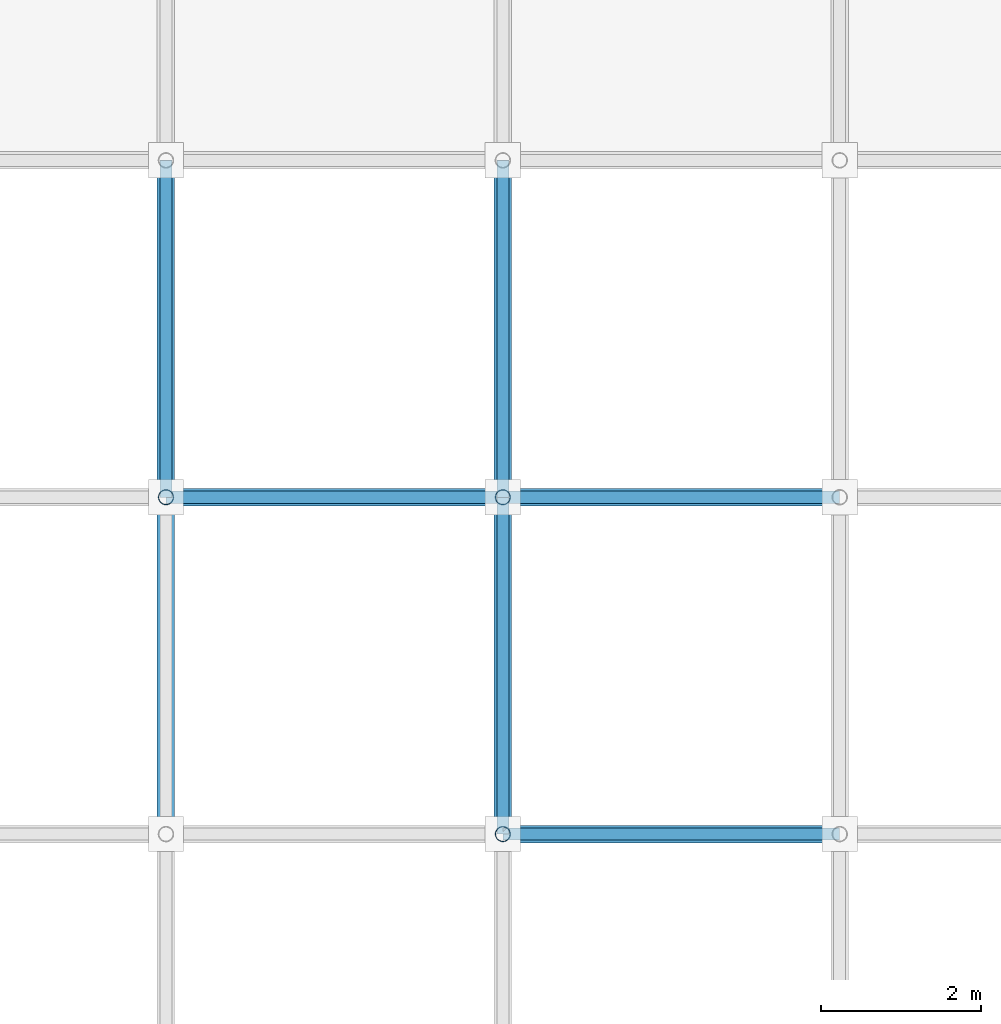
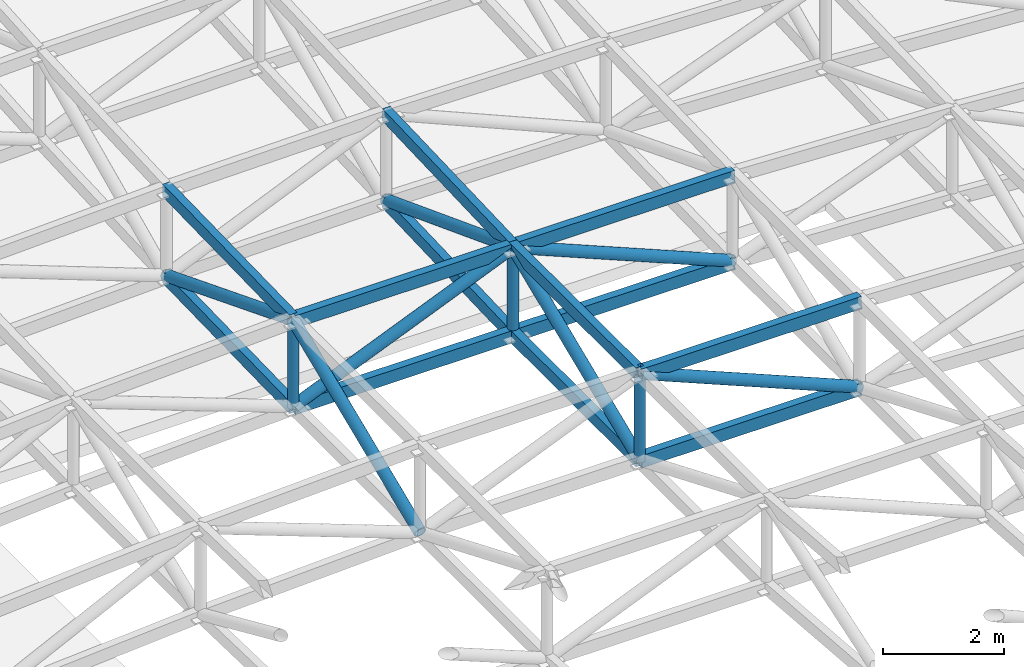
# One storey, part 20 of 132: 22 members.
"""IFC4 building model written with IfcOpenShell, lengths in metres."""

from ifc_helpers import new_model, si_unit, direction, frame, origin, origin_2d, place, context, subcontext, project, spatial, hollow_rectangle, hollow_circle, extrude, material, material_profile, profile_set, type_object, element, save


model = new_model("IFC4")

# Units and contexts
model_context = context("Model", 3, precision=1e-05, world=origin(), true_north=direction((0.0, 1.0)))
body_context = subcontext(model_context, "Body", "Model", "MODEL_VIEW")
ifc_project = project(units=[si_unit("LENGTHUNIT", "METRE"), si_unit("AREAUNIT", "SQUARE_METRE"), si_unit("VOLUMEUNIT", "CUBIC_METRE"), si_unit("PLANEANGLEUNIT", "RADIAN"), si_unit("MASSUNIT", "GRAM", prefix="KILO")], contexts=[model_context])

# Site, building, storey
site_placement = place(None, origin())
site = spatial("IfcSite", under=ifc_project, at=site_placement, CompositionType="ELEMENT")
building_placement = place(site_placement, origin())
building = spatial("IfcBuilding", under=site, at=building_placement, Name="Cumbredor Promenade Congress Hotel", CompositionType="ELEMENT")
storey_placement = place(building_placement, frame((0.0, 0.0, 7.56005859375)))
storey = spatial("IfcBuildingStorey", under=building, at=storey_placement, Name="L02", CompositionType="ELEMENT", Elevation=7.56005859375)

# Members
ifc_material = material(Name="Steel ASTM A500 Grade C", Category="steel")
ifc_material_profile_1 = material_profile(ifc_material, hollow_rectangle(XDim=0.14990234375, YDim=0.25, WallThickness=0.012451171875, at=origin_2d()), Name="HSS 250x150x12.5")
ifc_profile_set_1 = profile_set([ifc_material_profile_1], Name="Steel ASTM A500 Grade C")
member_type_1 = type_object("IfcMemberType", Name="Spa Roof Space Frame Chord", PredefinedType="CHORD", material=ifc_profile_set_1)
for number, where, z_axis, x_axis, name in (
    (1, (92.39990234375, 25.199951171875, 4.514404296875), (0.999999998311, 0.0, -5.8126017e-05), (0.0, 1.0, 0.0), "Thermal Spa and Hydrotherapy Pavilion X Top Chord 6.7"),
    (2, (92.39990234375, 25.199951171875, 2.764404296875), (0.999999998311, 0.0, -5.8126017e-05), (0.0, 1.0, 0.0), "Thermal Spa and Hydrotherapy Pavilion X Bottom Chord 6.7"),
):
    element("IfcMember", number, at=place(storey_placement, frame(where, z_axis=z_axis, x_axis=x_axis)), inside=storey, type_object=member_type_1, Name=name, PredefinedType="CHORD", context=body_context, shape_type="SweptSolid", body=[
        extrude(hollow_rectangle(XDim=0.14990234375, YDim=0.25, WallThickness=0.012451171875, at=origin_2d()), origin(), (0.0, 0.0, 1.0), 4.2001953125),
    ])
for number, where, z_axis, x_axis, name in (
    (3, (88.199951171875, 29.39990234375, 4.51416015625), (1.0, 0.0, 0.0), (0.0, 1.0, 0.0), "Thermal Spa and Hydrotherapy Pavilion X Top Chord 5.8"),
    (4, (88.199951171875, 29.39990234375, 2.76416015625), (1.0, 0.0, 0.0), (0.0, 1.0, 0.0), "Thermal Spa and Hydrotherapy Pavilion X Bottom Chord 5.8"),
):
    element("IfcMember", number, at=place(storey_placement, frame(where, z_axis=z_axis, x_axis=x_axis)), inside=storey, type_object=member_type_1, Name=name, PredefinedType="CHORD", context=body_context, shape_type="SweptSolid", body=[
        extrude(hollow_rectangle(XDim=0.14990234375, YDim=0.25, WallThickness=0.012451171875, at=origin_2d()), origin(), (0.0, 0.0, 1.0), 4.199951171875),
    ])
for number, where, z_axis, x_axis, name in (
    (5, (92.39990234375, 29.39990234375, 4.51416015625), (1.0, 0.0, 0.0), (0.0, 1.0, 0.0), "Thermal Spa and Hydrotherapy Pavilion X Top Chord 6.8"),
    (6, (92.39990234375, 29.39990234375, 2.76416015625), (1.0, 0.0, 0.0), (0.0, 1.0, 0.0), "Thermal Spa and Hydrotherapy Pavilion X Bottom Chord 6.8"),
):
    element("IfcMember", number, at=place(storey_placement, frame(where, z_axis=z_axis, x_axis=x_axis)), inside=storey, type_object=member_type_1, Name=name, PredefinedType="CHORD", context=body_context, shape_type="SweptSolid", body=[
        extrude(hollow_rectangle(XDim=0.14990234375, YDim=0.25, WallThickness=0.012451171875, at=origin_2d()), origin(), (0.0, 0.0, 1.0), 4.2001953125),
    ])
for number, where, z_axis, x_axis, name in (
    (7, (88.199951171875, 29.39990234375, 4.51416015625), (0.0, 0.999720283744, 0.023650671674), (-1.0, 0.0, 0.0), "Thermal Spa and Hydrotherapy Pavilion Y Top Chord 5.8"),
    (8, (88.199951171875, 29.39990234375, 2.76416015625), (0.0, 0.999720283744, 0.023650671674), (-1.0, 0.0, 0.0), "Thermal Spa and Hydrotherapy Pavilion Y Bottom Chord 5.8"),
):
    element("IfcMember", number, at=place(storey_placement, frame(where, z_axis=z_axis, x_axis=x_axis)), inside=storey, type_object=member_type_1, Name=name, PredefinedType="CHORD", context=body_context, shape_type="SweptSolid", body=[
        extrude(hollow_rectangle(XDim=0.14990234375, YDim=0.25, WallThickness=0.012451171875, at=origin_2d()), origin(), (0.0, 0.0, 1.0), 4.201416015625),
    ])
for number, where, z_axis, x_axis, name in (
    (9, (92.39990234375, 25.199951171875, 4.514404296875), (0.0, 0.99999999831, -5.8129396e-05), (-1.0, 0.0, 0.0), "Thermal Spa and Hydrotherapy Pavilion Y Top Chord 6.7"),
    (10, (92.39990234375, 25.199951171875, 2.764404296875), (0.0, 0.99999999831, -5.8129396e-05), (-1.0, 0.0, 0.0), "Thermal Spa and Hydrotherapy Pavilion Y Bottom Chord 6.7"),
):
    element("IfcMember", number, at=place(storey_placement, frame(where, z_axis=z_axis, x_axis=x_axis)), inside=storey, type_object=member_type_1, Name=name, PredefinedType="CHORD", context=body_context, shape_type="SweptSolid", body=[
        extrude(hollow_rectangle(XDim=0.14990234375, YDim=0.25, WallThickness=0.012451171875, at=origin_2d()), origin(), (0.0, 0.0, 1.0), 4.199951171875),
    ])
for number, where, z_axis, x_axis, name in (
    (11, (92.39990234375, 29.39990234375, 4.51416015625), (0.0, 0.999328057745, 0.036652871683), (-1.0, 0.0, 0.0), "Thermal Spa and Hydrotherapy Pavilion Y Top Chord 6.8"),
    (12, (92.39990234375, 29.39990234375, 2.76416015625), (0.0, 0.999328057745, 0.036652871683), (-1.0, 0.0, 0.0), "Thermal Spa and Hydrotherapy Pavilion Y Bottom Chord 6.8"),
):
    element("IfcMember", number, at=place(storey_placement, frame(where, z_axis=z_axis, x_axis=x_axis)), inside=storey, type_object=member_type_1, Name=name, PredefinedType="CHORD", context=body_context, shape_type="SweptSolid", body=[
        extrude(hollow_rectangle(XDim=0.14990234375, YDim=0.25, WallThickness=0.012451171875, at=origin_2d()), origin(), (0.0, 0.0, 1.0), 4.203125),
    ])
ifc_material_profile_2 = material_profile(ifc_material, hollow_circle(Radius=0.109619140625, WallThickness=0.012451171875, at=origin_2d()), Name="CHS 219.1x12.5")
ifc_profile_set_2 = profile_set([ifc_material_profile_2], Name="Steel ASTM A500 Grade C")
member_type_2 = type_object("IfcMemberType", Name="Space Frame Web Diagonal D1", PredefinedType="BRACE", material=ifc_profile_set_2)
member_1_placement = place(storey_placement, frame((92.39990234375, 25.199951171875, 4.514404296875), z_axis=(0.923064223391, 0.0, -0.384645862444), x_axis=(0.0, 1.0, 0.0)))
element("IfcMember", 13, at=member_1_placement, inside=storey, type_object=member_type_2, Name="Thermal Spa and Hydrotherapy Pavilion X Web Diagonal 6.7", PredefinedType="BRACE", context=body_context, shape_type="SweptSolid", body=[
    extrude(hollow_circle(Radius=0.109619140625, WallThickness=0.012451171875, at=origin_2d()), origin(), (0.0, 0.0, 1.0), 4.55029296875),
])
member_2_placement = place(storey_placement, frame((88.199951171875, 29.39990234375, 2.76416015625), z_axis=(0.92307533556, 0.0, 0.384619194634), x_axis=(0.0, 1.0, 0.0)))
element("IfcMember", 14, at=member_2_placement, inside=storey, type_object=member_type_2, Name="Thermal Spa and Hydrotherapy Pavilion X Web Diagonal 5.8", PredefinedType="BRACE", context=body_context, shape_type="SweptSolid", body=[
    extrude(hollow_circle(Radius=0.109619140625, WallThickness=0.012451171875, at=origin_2d()), origin(), (0.0, 0.0, 1.0), 4.550048828125),
])
member_3_placement = place(storey_placement, frame((92.39990234375, 29.39990234375, 4.51416015625), z_axis=(0.923083272674, 0.0, -0.384600145229), x_axis=(0.0, 1.0, 0.0)))
element("IfcMember", 15, at=member_3_placement, inside=storey, type_object=member_type_2, Name="Thermal Spa and Hydrotherapy Pavilion X Web Diagonal 6.8", PredefinedType="BRACE", context=body_context, shape_type="SweptSolid", body=[
    extrude(hollow_circle(Radius=0.109619140625, WallThickness=0.012451171875, at=origin_2d()), origin(), (0.0, 0.0, 1.0), 4.55029296875),
])
member_4_placement = place(storey_placement, frame((88.199951171875, 25.199951171875, 2.76416015625), z_axis=(0.0, 0.92307533556, 0.384619194634), x_axis=(-1.0, 0.0, 0.0)))
element("IfcMember", 16, at=member_4_placement, inside=storey, type_object=member_type_2, Name="Thermal Spa and Hydrotherapy Pavilion Y Web Diagonal 5.7", PredefinedType="BRACE", context=body_context, shape_type="SweptSolid", body=[
    extrude(hollow_circle(Radius=0.109619140625, WallThickness=0.012451171875, at=origin_2d()), origin(), (0.0, 0.0, 1.0), 4.550048828125),
])
member_5_placement = place(storey_placement, frame((88.199951171875, 29.39990234375, 4.51416015625), z_axis=(0.0, 0.930709404077, -0.365759490872), x_axis=(-1.0, 0.0, 0.0)))
element("IfcMember", 17, at=member_5_placement, inside=storey, type_object=member_type_2, Name="Thermal Spa and Hydrotherapy Pavilion Y Web Diagonal 5.8", PredefinedType="BRACE", context=body_context, shape_type="SweptSolid", body=[
    extrude(hollow_circle(Radius=0.109619140625, WallThickness=0.012451171875, at=origin_2d()), origin(), (0.0, 0.0, 1.0), 4.512939453125),
])
member_6_placement = place(storey_placement, frame((92.39990234375, 25.199951171875, 2.764404296875), z_axis=(0.0, 0.923094385087, 0.384573473111), x_axis=(-1.0, 0.0, 0.0)))
element("IfcMember", 18, at=member_6_placement, inside=storey, type_object=member_type_2, Name="Thermal Spa and Hydrotherapy Pavilion Y Web Diagonal 6.7", PredefinedType="BRACE", context=body_context, shape_type="SweptSolid", body=[
    extrude(hollow_circle(Radius=0.109619140625, WallThickness=0.012451171875, at=origin_2d()), origin(), (0.0, 0.0, 1.0), 4.5498046875),
])
member_7_placement = place(storey_placement, frame((92.39990234375, 29.39990234375, 4.51416015625), z_axis=(0.0, 0.934792962255, -0.355193071045), x_axis=(-1.0, 0.0, 0.0)))
element("IfcMember", 19, at=member_7_placement, inside=storey, type_object=member_type_2, Name="Thermal Spa and Hydrotherapy Pavilion Y Web Diagonal 6.8", PredefinedType="BRACE", context=body_context, shape_type="SweptSolid", body=[
    extrude(hollow_circle(Radius=0.109619140625, WallThickness=0.012451171875, at=origin_2d()), origin(), (0.0, 0.0, 1.0), 4.4931640625),
])
ifc_material_profile_3 = material_profile(ifc_material, hollow_circle(Radius=0.096923828125, WallThickness=0.010009765625, at=origin_2d()), Name="CHS 193.7x10")
ifc_profile_set_3 = profile_set([ifc_material_profile_3], Name="Steel ASTM A500 Grade C")
member_type_3 = type_object("IfcMemberType", Name="Space Frame Web Post P1", PredefinedType="BRACE", material=ifc_profile_set_3)
for number, where, z_axis, x_axis, name in (
    (20, (88.199951171875, 29.39990234375, 2.76416015625), (0.0, 0.0, 1.0), (1.0, 0.0, 0.0), "Thermal Spa and Hydrotherapy Pavilion Space Frame Web Post 5.8"),
    (21, (92.39990234375, 25.199951171875, 2.764404296875), (0.0, 0.0, 1.0), (1.0, 0.0, 0.0), "Thermal Spa and Hydrotherapy Pavilion Space Frame Web Post 6.7"),
    (22, (92.39990234375, 29.39990234375, 2.76416015625), (0.0, 0.0, 1.0), (1.0, 0.0, 0.0), "Thermal Spa and Hydrotherapy Pavilion Space Frame Web Post 6.8"),
):
    element("IfcMember", number, at=place(storey_placement, frame(where, z_axis=z_axis, x_axis=x_axis)), inside=storey, type_object=member_type_3, Name=name, PredefinedType="BRACE", context=body_context, shape_type="SweptSolid", body=[
        extrude(hollow_circle(Radius=0.096923828125, WallThickness=0.010009765625, at=origin_2d()), origin(), (0.0, 0.0, 1.0), 1.75),
    ])

save(model, "model.ifc")
